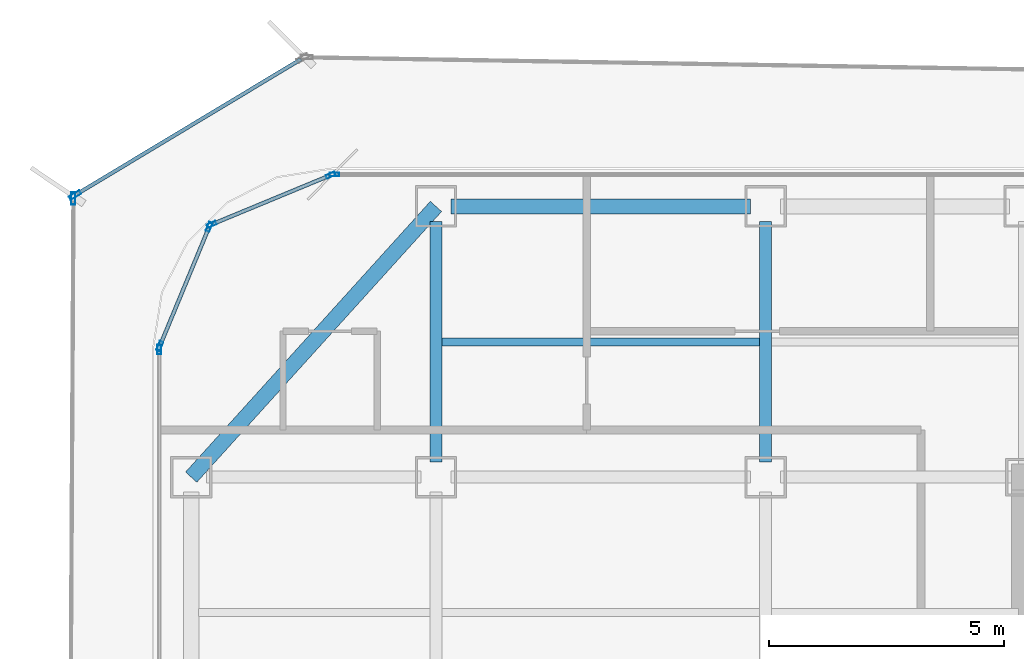
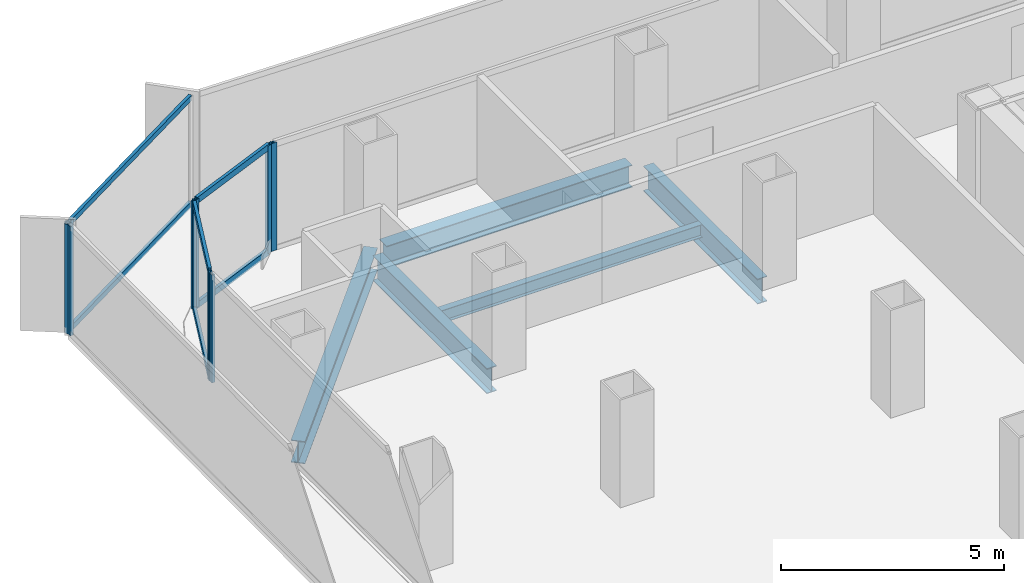
# One storey, part 10 of 21: 14 members, 5 beams, 6 elements without a shape of their own.
"""IFC4 building model written with IfcOpenShell, lengths in metres."""

from ifc_helpers import new_model, si_unit, direction, frame, origin, origin_2d, place, context, subcontext, project, spatial, hollow_rectangle, i_section, extrude, source, transform, mapped, material, layer, layer_set, material_profile, profile_set, type_object, element, aggregate, save


model = new_model("IFC4")

# Units and contexts
model_context = context("Model", 3, precision=1e-05, world=origin(), true_north=direction((0.0, 1.0)))
body_context = subcontext(model_context, "Body", "Model", "MODEL_VIEW")
ifc_project = project(units=[si_unit("LENGTHUNIT", "METRE"), si_unit("AREAUNIT", "SQUARE_METRE"), si_unit("VOLUMEUNIT", "CUBIC_METRE"), si_unit("PLANEANGLEUNIT", "RADIAN"), si_unit("MASSUNIT", "GRAM", prefix="KILO")], contexts=[model_context])

# Site, building, storey
site_placement = place(None, origin())
site = spatial("IfcSite", under=ifc_project, at=site_placement, CompositionType="ELEMENT")
building_placement = place(site_placement, origin())
building = spatial("IfcBuilding", under=site, at=building_placement, Name="Kolveth Station Tower", CompositionType="ELEMENT")
storey_placement = place(building_placement, frame((0.0, 0.0, 102.300048828125)))
storey = spatial("IfcBuildingStorey", under=building, at=storey_placement, Name="L27", CompositionType="ELEMENT", Elevation=102.300048828125)

# Beams
ifc_material_1 = material(Name="Steel S355", Category="steel")
ifc_material_profile_1 = material_profile(ifc_material_1, i_section(OverallWidth=0.323974609375, OverallDepth=0.611083984375, WebThickness=0.0126953125, FlangeThickness=0.01904296875, at=origin_2d()), Name="W610x155")
ifc_profile_set_1 = profile_set([ifc_material_profile_1], Name="Steel S355")
beam_type_1 = type_object("IfcBeamType", Name="Beam_SP2", PredefinedType="SPANDREL", material=ifc_profile_set_1)
shared_shape_1 = source(origin(), body_context, "Body", "SweptSolid", [
    extrude(i_section(OverallWidth=0.323974609375, OverallDepth=0.611083984375, WebThickness=0.0126953125, FlangeThickness=0.01904296875, at=origin_2d()), origin(), (0.0, 0.0, 1.0), 6.35986328125),
])
beam_1_placement = place(storey_placement, frame((6.320068359375, 34.5, -0.5556640625), z_axis=(1.0, 0.0, 0.0), x_axis=(0.0, 1.0, 0.0)))
element("IfcBeam", 1, at=beam_1_placement, inside=storey, type_object=beam_type_1, Name="L27 Perimeter Spandrel BM-L27-PN-1", PredefinedType="SPANDREL", context=body_context, shape_type="MappedRepresentation", body=[
    mapped(shared_shape_1, transform((0.0, 0.0, 0.0), x_axis=(1.0, 0.0, 0.0), y_axis=(0.0, 1.0, 0.0), z_axis=(0.0, 0.0, 1.0), scale=1.0)),
])
shared_shape_2 = source(origin(), body_context, "Body", "SweptSolid", [
    extrude(i_section(OverallWidth=0.323974609375, OverallDepth=0.611083984375, WebThickness=0.0126953125, FlangeThickness=0.01904296875, at=origin_2d()), origin(), (0.0, 0.0, 1.0), 7.75244140625),
])
beam_2_placement = place(storey_placement, frame((6.0, 34.5, -0.5556640625), z_axis=(-0.670740965555, -0.74169168603, 0.0), x_axis=(0.74169168603, -0.670740965555, 0.0)))
element("IfcBeam", 2, at=beam_2_placement, inside=storey, type_object=beam_type_1, Name="L27 Corner Edge Girder BM-L27-CNR-NW", PredefinedType="SPANDREL", context=body_context, shape_type="MappedRepresentation", body=[
    mapped(shared_shape_2, transform((0.0, 0.0, 0.0), x_axis=(1.0, 0.0, 0.0), y_axis=(0.0, 1.0, 0.0), z_axis=(0.0, 0.0, 1.0), scale=1.0)),
])
ifc_material_profile_2 = material_profile(ifc_material_1, i_section(OverallWidth=0.25390625, OverallDepth=0.68798828125, WebThickness=0.01318359375, FlangeThickness=0.02099609375, at=origin_2d()), Name="W690x152")
ifc_profile_set_2 = profile_set([ifc_material_profile_2], Name="Steel S355")
beam_type_2 = type_object("IfcBeamType", Name="Beam_B4", PredefinedType="BEAM", material=ifc_profile_set_2)
shared_shape_3 = source(origin(), body_context, "Body", "SweptSolid", [
    extrude(i_section(OverallWidth=0.25390625, OverallDepth=0.68798828125, WebThickness=0.01318359375, FlangeThickness=0.02099609375, at=origin_2d()), origin(), (0.0, 0.0, 1.0), 5.10986328125),
])
for number, where, z_axis, x_axis, name in (
    (3, (6.0, 29.070068359375, -0.593994140625), (0.0, 1.0, 0.0), (-1.0, 0.0, 0.0), "L27 Primary Girder BM-L27-GX60-6"),
    (4, (13.0, 29.070068359375, -0.593994140625), (0.0, 1.0, 0.0), (-1.0, 0.0, 0.0), "L27 Primary Girder BM-L27-GX130-6"),
):
    element("IfcBeam", number, at=place(storey_placement, frame(where, z_axis=z_axis, x_axis=x_axis)), inside=storey, type_object=beam_type_2, Name=name, PredefinedType="BEAM", context=body_context, shape_type="MappedRepresentation", body=[
        mapped(shared_shape_3, transform((0.0, 0.0, 0.0), x_axis=(1.0, 0.0, 0.0), y_axis=(0.0, 1.0, 0.0), z_axis=(0.0, 0.0, 1.0), scale=1.0)),
    ])
ifc_material_profile_3 = material_profile(ifc_material_1, i_section(OverallWidth=0.1708984375, OverallDepth=0.35205078125, WebThickness=0.0068359375, FlangeThickness=0.009765625, at=origin_2d()), Name="W360x44")
ifc_profile_set_3 = profile_set([ifc_material_profile_3], Name="Steel S355")
beam_type_3 = type_object("IfcBeamType", Name="Beam_J2", PredefinedType="JOIST", material=ifc_profile_set_3)
shared_shape_4 = source(origin(), body_context, "Body", "SweptSolid", [
    extrude(i_section(OverallWidth=0.1708984375, OverallDepth=0.35205078125, WebThickness=0.0068359375, FlangeThickness=0.009765625, at=origin_2d()), origin(), (0.0, 0.0, 1.0), 6.75),
])
beam_3_placement = place(storey_placement, frame((6.125, 31.625, -0.426025390625), z_axis=(1.0, 0.0, 0.0), x_axis=(0.0, 1.0, 0.0)))
element("IfcBeam", 5, at=beam_3_placement, inside=storey, type_object=beam_type_3, Name="L27 Secondary Joist JST-L27-2-6", PredefinedType="JOIST", context=body_context, shape_type="MappedRepresentation", body=[
    mapped(shared_shape_4, transform((0.0, 0.0, 0.0), x_axis=(1.0, 0.0, 0.0), y_axis=(0.0, 1.0, 0.0), z_axis=(0.0, 0.0, 1.0), scale=1.0)),
])

# Curtain wall, member
ifc_material_2 = material(Name="Aluminium 6063-T6 and low-E dark glass", Category="aluminium")
ifc_layer_1 = layer(ifc_material_2, 0.18994140625)
ifc_layer_set_1 = layer_set([ifc_layer_1], Name="Aluminium 6063-T6 and low-E dark glass")
curtain_wall_type_1 = type_object("IfcCurtainWallType", Name="CurtainWall_CW-Z2", PredefinedType="NOTDEFINED", material=ifc_layer_set_1)
curtain_wall_1_placement = place(storey_placement, origin())
curtain_wall_1 = element("IfcCurtainWall", 6, at=curtain_wall_1_placement, inside=storey, type_object=curtain_wall_type_1, Name="L27 Inner Thermal Curtain Wall 6", PredefinedType="NOTDEFINED")
ifc_material_3 = material(Name="Black anodized aluminium 6063-T6", Category="aluminium")
ifc_material_profile_4 = material_profile(ifc_material_3, hollow_rectangle(XDim=0.080078125, YDim=0.199951171875, WallThickness=0.0048828125, at=origin_2d()), Name="ALU-80x200x5")
ifc_profile_set_4 = profile_set([ifc_material_profile_4], Name="Black anodized aluminium 6063-T6")
member_type_1 = type_object("IfcMemberType", Name="Mullion_ML2", PredefinedType="MULLION", material=ifc_profile_set_4)
shared_shape_5 = source(origin(), body_context, "Body", "SweptSolid", [
    extrude(hollow_rectangle(XDim=0.080078125, YDim=0.199951171875, WallThickness=0.0048828125, at=origin_2d()), origin(), (0.0, 0.0, 1.0), 2.949951171875),
])
member_1_placement = place(storey_placement, frame((3.840087890625, 35.179931640625, 0.0), z_axis=(0.0, 0.0, 1.0), x_axis=(0.0, -1.0, 0.0)))
member_1 = element("IfcMember", 7, at=member_1_placement, type_object=member_type_1, Name="CW-Z2 mullion 3", PredefinedType="MULLION", context=body_context, shape_type="MappedRepresentation", body=[
    mapped(shared_shape_5, transform((0.0, 0.0, 0.0), x_axis=(1.0, 0.0, 0.0), y_axis=(0.0, 1.0, 0.0), z_axis=(0.0, 0.0, 1.0), scale=1.0)),
])
aggregate(curtain_wall_1, [member_1])

# Curtain wall, members
curtain_wall_2_placement = place(storey_placement, origin())
curtain_wall_2 = element("IfcCurtainWall", 8, at=curtain_wall_2_placement, inside=storey, type_object=curtain_wall_type_1, Name="L27 Inner Thermal Curtain Wall 7", PredefinedType="NOTDEFINED")
member_2_placement = place(storey_placement, frame((3.762939453125, 35.164794921875, 0.0), z_axis=(0.0, 0.0, 1.0), x_axis=(0.38266326998, -0.923887883787, 0.0)))
member_2 = element("IfcMember", 9, at=member_2_placement, type_object=member_type_1, Name="CW-Z2 mullion 1", PredefinedType="MULLION", context=body_context, shape_type="MappedRepresentation", body=[
    mapped(shared_shape_5, transform((0.0, 0.0, 0.0), x_axis=(1.0, 0.0, 0.0), y_axis=(0.0, 1.0, 0.0), z_axis=(0.0, 0.0, 1.0), scale=1.0)),
])
member_3_placement = place(storey_placement, frame((1.23486328125, 34.117431640625, 0.0), z_axis=(0.0, 0.0, 1.0), x_axis=(0.38266326998, -0.923887883787, 0.0)))
member_3 = element("IfcMember", 10, at=member_3_placement, type_object=member_type_1, Name="CW-Z2 mullion 2", PredefinedType="MULLION", context=body_context, shape_type="MappedRepresentation", body=[
    mapped(shared_shape_5, transform((0.0, 0.0, 0.0), x_axis=(1.0, 0.0, 0.0), y_axis=(0.0, 1.0, 0.0), z_axis=(0.0, 0.0, 1.0), scale=1.0)),
])

curtain_wall_3_placement = place(storey_placement, origin())
curtain_wall_3 = element("IfcCurtainWall", 11, at=curtain_wall_3_placement, inside=storey, type_object=curtain_wall_type_1, Name="L27 Inner Thermal Curtain Wall 8", PredefinedType="NOTDEFINED")
member_4_placement = place(storey_placement, frame((1.182373046875, 34.065185546875, 0.0), z_axis=(0.0, 0.0, 1.0), x_axis=(0.923887883787, -0.38266326998, 0.0)))
member_4 = element("IfcMember", 12, at=member_4_placement, type_object=member_type_1, Name="CW-Z2 mullion 1", PredefinedType="MULLION", context=body_context, shape_type="MappedRepresentation", body=[
    mapped(shared_shape_5, transform((0.0, 0.0, 0.0), x_axis=(1.0, 0.0, 0.0), y_axis=(0.0, 1.0, 0.0), z_axis=(0.0, 0.0, 1.0), scale=1.0)),
])
member_5_placement = place(storey_placement, frame((0.13525390625, 31.536865234375, 0.0), z_axis=(0.0, 0.0, 1.0), x_axis=(0.923887883787, -0.38266326998, 0.0)))
member_5 = element("IfcMember", 13, at=member_5_placement, type_object=member_type_1, Name="CW-Z2 mullion 2", PredefinedType="MULLION", context=body_context, shape_type="MappedRepresentation", body=[
    mapped(shared_shape_5, transform((0.0, 0.0, 0.0), x_axis=(1.0, 0.0, 0.0), y_axis=(0.0, 1.0, 0.0), z_axis=(0.0, 0.0, 1.0), scale=1.0)),
])

# Curtain wall, member
curtain_wall_4_placement = place(storey_placement, origin())
curtain_wall_4 = element("IfcCurtainWall", 14, at=curtain_wall_4_placement, inside=storey, type_object=curtain_wall_type_1, Name="L27 Inner Thermal Curtain Wall 9", PredefinedType="NOTDEFINED")
member_6_placement = place(storey_placement, frame((0.1201171875, 31.4599609375, 0.0), z_axis=(0.0, 0.0, 1.0), x_axis=(1.0, 0.0, 0.0)))
member_6 = element("IfcMember", 15, at=member_6_placement, type_object=member_type_1, Name="CW-Z2 mullion 1", PredefinedType="MULLION", context=body_context, shape_type="MappedRepresentation", body=[
    mapped(shared_shape_5, transform((0.0, 0.0, 0.0), x_axis=(1.0, 0.0, 0.0), y_axis=(0.0, 1.0, 0.0), z_axis=(0.0, 0.0, 1.0), scale=1.0)),
])
aggregate(curtain_wall_4, [member_6])

# Member
ifc_material_profile_5 = material_profile(ifc_material_3, hollow_rectangle(XDim=0.080078125, YDim=0.169921875, WallThickness=0.0048828125, at=origin_2d()), Name="ALU-80x170x5")
ifc_profile_set_5 = profile_set([ifc_material_profile_5], Name="Black anodized aluminium 6063-T6")
member_type_2 = type_object("IfcMemberType", Name="Transom_TR2", PredefinedType="USERDEFINED", material=ifc_profile_set_5)
shared_shape_6 = source(origin(), body_context, "Body", "SweptSolid", [
    extrude(hollow_rectangle(XDim=0.080078125, YDim=0.169921875, WallThickness=0.0048828125, at=origin_2d()), origin(), (0.0, 0.0, 1.0), 2.656494140625),
])
member_7_placement = place(storey_placement, frame((3.72607421875, 35.1494140625, 0.0400390625), z_axis=(-0.923882422403, -0.382676455475, 0.0), x_axis=(0.382676455475, -0.923882422403, 0.0)))
member_7 = element("IfcMember", 16, at=member_7_placement, type_object=member_type_2, Name="CW-Z2 transom 1.1", ObjectType="TRANSOM", PredefinedType="USERDEFINED", context=body_context, shape_type="MappedRepresentation", body=[
    mapped(shared_shape_6, transform((0.0, 0.0, 0.0), x_axis=(1.0, 0.0, 0.0), y_axis=(0.0, 1.0, 0.0), z_axis=(0.0, 0.0, 1.0), scale=1.0)),
])

member_8_placement = place(storey_placement, frame((3.72607421875, 35.1494140625, 2.909912109375), z_axis=(-0.923882422403, -0.382676455475, 0.0), x_axis=(0.382676455475, -0.923882422403, 0.0)))
member_8 = element("IfcMember", 17, at=member_8_placement, type_object=member_type_2, Name="CW-Z2 transom 1.2", ObjectType="TRANSOM", PredefinedType="USERDEFINED", context=body_context, shape_type="MappedRepresentation", body=[
    mapped(shared_shape_6, transform((0.0, 0.0, 0.0), x_axis=(1.0, 0.0, 0.0), y_axis=(0.0, 1.0, 0.0), z_axis=(0.0, 0.0, 1.0), scale=1.0)),
])

aggregate(curtain_wall_2, [member_2, member_3, member_7, member_8])

member_9_placement = place(storey_placement, frame((1.167236328125, 34.0283203125, 0.0400390625), z_axis=(-0.382676455475, -0.923882422403, 0.0), x_axis=(0.923882422403, -0.382676455475, 0.0)))
member_9 = element("IfcMember", 18, at=member_9_placement, type_object=member_type_2, Name="CW-Z2 transom 1.1", ObjectType="TRANSOM", PredefinedType="USERDEFINED", context=body_context, shape_type="MappedRepresentation", body=[
    mapped(shared_shape_6, transform((0.0, 0.0, 0.0), x_axis=(1.0, 0.0, 0.0), y_axis=(0.0, 1.0, 0.0), z_axis=(0.0, 0.0, 1.0), scale=1.0)),
])

member_10_placement = place(storey_placement, frame((1.167236328125, 34.0283203125, 2.909912109375), z_axis=(-0.382676455475, -0.923882422403, 0.0), x_axis=(0.923882422403, -0.382676455475, 0.0)))
member_10 = element("IfcMember", 19, at=member_10_placement, type_object=member_type_2, Name="CW-Z2 transom 1.2", ObjectType="TRANSOM", PredefinedType="USERDEFINED", context=body_context, shape_type="MappedRepresentation", body=[
    mapped(shared_shape_6, transform((0.0, 0.0, 0.0), x_axis=(1.0, 0.0, 0.0), y_axis=(0.0, 1.0, 0.0), z_axis=(0.0, 0.0, 1.0), scale=1.0)),
])

aggregate(curtain_wall_3, [member_4, member_5, member_9, member_10])

# Curtain wall, member
ifc_material_4 = material(Name="Black anodized aluminium 6063-T6 and dark solar glass", Category="aluminium")
ifc_layer_2 = layer(ifc_material_4, 0.159912109375)
ifc_layer_set_2 = layer_set([ifc_layer_2], Name="Black anodized aluminium 6063-T6 and dark solar glass")
curtain_wall_type_2 = type_object("IfcCurtainWallType", Name="OUTER SKIN CW-OS", PredefinedType="NOTDEFINED", material=ifc_layer_set_2)
curtain_wall_5_placement = place(storey_placement, origin())
curtain_wall_5 = element("IfcCurtainWall", 20, at=curtain_wall_5_placement, inside=storey, type_object=curtain_wall_type_2, Name="L27 Outer Ventilated Skin Curtain Wall 5", PredefinedType="NOTDEFINED")
ifc_material_profile_6 = material_profile(ifc_material_3, hollow_rectangle(XDim=0.090087890625, YDim=0.260009765625, WallThickness=0.0048828125, at=origin_2d()), Name="ALU-90x260x5")
ifc_profile_set_6 = profile_set([ifc_material_profile_6], Name="Black anodized aluminium 6063-T6")
member_type_3 = type_object("IfcMemberType", Name="FIN MULLION ML-OS", PredefinedType="MULLION", material=ifc_profile_set_6)
shared_shape_7 = source(origin(), body_context, "Body", "SweptSolid", [
    extrude(hollow_rectangle(XDim=0.090087890625, YDim=0.260009765625, WallThickness=0.0048828125, at=origin_2d()), origin(), (0.0, 0.0, 1.0), 2.989990234375),
])
member_11_placement = place(storey_placement, frame((-1.667236328125, 34.7392578125, 0.0), z_axis=(0.0, 0.0, 1.0), x_axis=(0.51553631481, -0.856867730815, 0.0)))
member_11 = element("IfcMember", 21, at=member_11_placement, type_object=member_type_3, Name="CW-OS mullion 2", PredefinedType="MULLION", context=body_context, shape_type="MappedRepresentation", body=[
    mapped(shared_shape_7, transform((0.0, 0.0, 0.0), x_axis=(1.0, 0.0, 0.0), y_axis=(0.0, 1.0, 0.0), z_axis=(0.0, 0.0, 1.0), scale=1.0)),
])

curtain_wall_6_placement = place(storey_placement, origin())
curtain_wall_6 = element("IfcCurtainWall", 22, at=curtain_wall_6_placement, inside=storey, type_object=curtain_wall_type_2, Name="L27 Outer Ventilated Skin Curtain Wall 6", PredefinedType="NOTDEFINED")
member_12_placement = place(storey_placement, frame((-1.7060546875, 34.6708984375, 0.0), z_axis=(0.0, 0.0, 1.0), x_axis=(0.999985072346, -0.005463980731, 0.0)))
member_12 = element("IfcMember", 23, at=member_12_placement, type_object=member_type_3, Name="CW-OS mullion 1", PredefinedType="MULLION", context=body_context, shape_type="MappedRepresentation", body=[
    mapped(shared_shape_7, transform((0.0, 0.0, 0.0), x_axis=(1.0, 0.0, 0.0), y_axis=(0.0, 1.0, 0.0), z_axis=(0.0, 0.0, 1.0), scale=1.0)),
])
aggregate(curtain_wall_6, [member_12])

# Member
ifc_material_profile_7 = material_profile(ifc_material_3, hollow_rectangle(XDim=0.080078125, YDim=0.14990234375, WallThickness=0.0048828125, at=origin_2d()), Name="ALU-80x150x5")
ifc_profile_set_7 = profile_set([ifc_material_profile_7], Name="Black anodized aluminium 6063-T6")
member_type_4 = type_object("IfcMemberType", Name="Transom_TR-OS", PredefinedType="USERDEFINED", material=ifc_profile_set_7)
shared_shape_8 = source(origin(), body_context, "Body", "SweptSolid", [
    extrude(hollow_rectangle(XDim=0.080078125, YDim=0.14990234375, WallThickness=0.0048828125, at=origin_2d()), origin(), (0.0, 0.0, 1.0), 5.5556640625),
])
member_13_placement = place(storey_placement, frame((3.1318359375, 37.626708984375, 0.0400390625), z_axis=(-0.85686026341, -0.515548726105, 0.0), x_axis=(0.515548726105, -0.85686026341, 0.0)))
member_13 = element("IfcMember", 24, at=member_13_placement, type_object=member_type_4, Name="CW-OS transom 1.1", ObjectType="TRANSOM", PredefinedType="USERDEFINED", context=body_context, shape_type="MappedRepresentation", body=[
    mapped(shared_shape_8, transform((0.0, 0.0, 0.0), x_axis=(1.0, 0.0, 0.0), y_axis=(0.0, 1.0, 0.0), z_axis=(0.0, 0.0, 1.0), scale=1.0)),
])

member_14_placement = place(storey_placement, frame((3.1318359375, 37.626708984375, 2.949951171875), z_axis=(-0.85686026341, -0.515548726105, 0.0), x_axis=(0.515548726105, -0.85686026341, 0.0)))
member_14 = element("IfcMember", 25, at=member_14_placement, type_object=member_type_4, Name="CW-OS transom 1.2", ObjectType="TRANSOM", PredefinedType="USERDEFINED", context=body_context, shape_type="MappedRepresentation", body=[
    mapped(shared_shape_8, transform((0.0, 0.0, 0.0), x_axis=(1.0, 0.0, 0.0), y_axis=(0.0, 1.0, 0.0), z_axis=(0.0, 0.0, 1.0), scale=1.0)),
])

aggregate(curtain_wall_5, [member_11, member_13, member_14])

save(model, "model.ifc")
